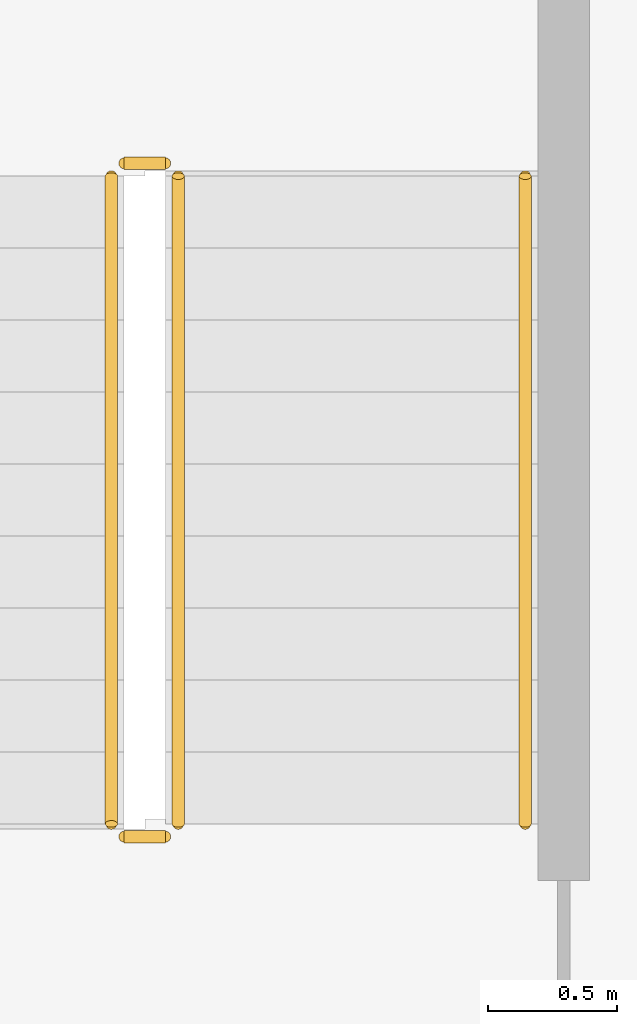
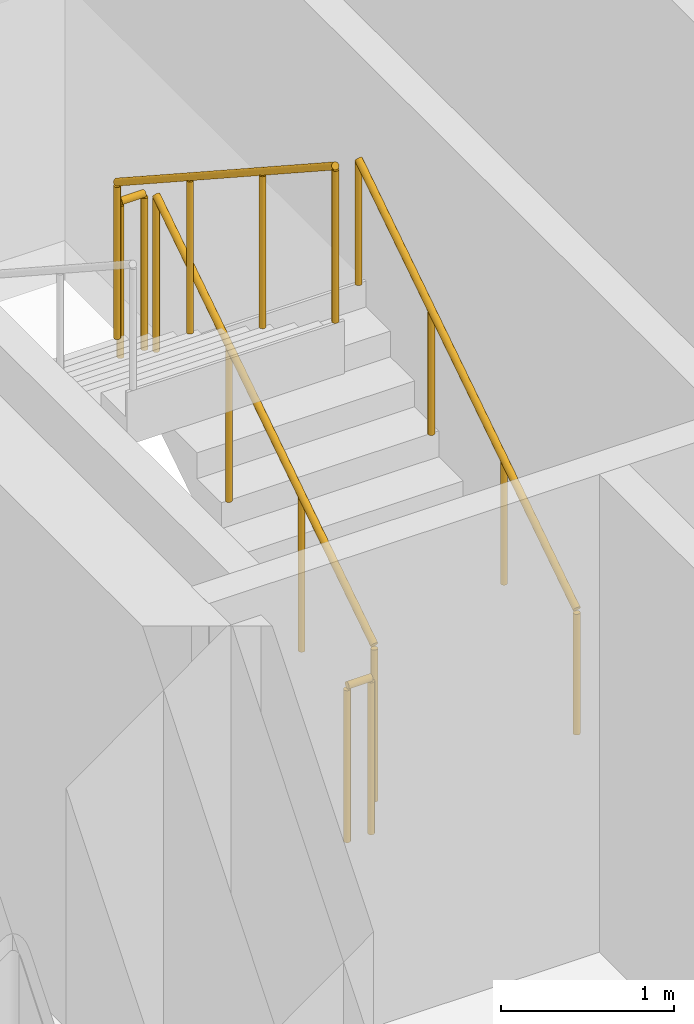
# One storey, part 10 of 12: 5 railings.
"""IFC4 building model written with IfcOpenShell, lengths in metres."""

from ifc_helpers import new_model, si_unit, direction, frame, origin, origin_2d, place, context, subcontext, project, spatial, circle, extrude, material, type_object, element, save


model = new_model("IFC4")

# Units and contexts
model_context = context("Model", 3, precision=1e-05, world=origin(), true_north=direction((0.0, 1.0)))
body_context = subcontext(model_context, "Body", "Model", "MODEL_VIEW")
ifc_project = project(units=[si_unit("LENGTHUNIT", "METRE"), si_unit("AREAUNIT", "SQUARE_METRE"), si_unit("VOLUMEUNIT", "CUBIC_METRE"), si_unit("PLANEANGLEUNIT", "RADIAN"), si_unit("MASSUNIT", "GRAM", prefix="KILO")], contexts=[model_context])

# Site, building, storey
site_placement = place(None, origin())
site = spatial("IfcSite", under=ifc_project, at=site_placement, CompositionType="ELEMENT")
building_placement = place(site_placement, origin())
building = spatial("IfcBuilding", under=site, at=building_placement, Name="Nuvemarco Arch Tower", CompositionType="ELEMENT")
storey_placement = place(building_placement, frame((0.0, 0.0, 45.85009765625)))
storey = spatial("IfcBuildingStorey", under=building, at=storey_placement, Name="L11", CompositionType="ELEMENT", Elevation=45.85009765625)

# Railings
ifc_material_1 = material(Name="Brushed stainless steel handrail", Category="steel")
railing_type_1 = type_object("IfcRailingType", Name="RL-HANDRAIL-900", PredefinedType="HANDRAIL", material=ifc_material_1)
railing_1_placement = place(storey_placement, frame((-13.590087890625, 2.64990234375, 0.182373046875)))
element("IfcRailing", 1, at=railing_1_placement, inside=storey, type_object=railing_type_1, Name="L11 ST-1 stair handrail 1", PredefinedType="HANDRAIL", context=body_context, shape_type="SweptSolid", body=[
    extrude(circle(Radius=0.02392578125, at=origin_2d()), frame((0.0, 0.0, 0.8759765625), z_axis=(0.0, 0.837749427056, 0.546054848405), x_axis=(-1.0, 0.0, 0.0)), (0.0, 0.0, 1.0), 3.008056640625),
    extrude(circle(Radius=0.02099609375, at=origin_2d()), origin(), (0.0, 0.0, 1.0), 0.851806640625),
    extrude(circle(Radius=0.02099609375, at=origin_2d()), frame((0.0, 0.840087890625, 0.547607421875)), (0.0, 0.0, 1.0), 0.851806640625),
    extrude(circle(Radius=0.02099609375, at=origin_2d()), frame((0.0, 1.679931640625, 1.094970703125)), (0.0, 0.0, 1.0), 0.851806640625),
    extrude(circle(Radius=0.02099609375, at=origin_2d()), frame((0.0, 2.52001953125, 1.642578125)), (0.0, 0.0, 1.0), 0.851806640625),
])
ifc_material_2 = material(Name="Painted balustrade steel S355", Category="steel")
railing_type_2 = type_object("IfcRailingType", Name="RL-STAIR-GUARD", PredefinedType="GUARDRAIL", material=ifc_material_2)
railing_2_placement = place(storey_placement, frame((-14.93994140625, 2.64990234375, 0.182373046875)))
element("IfcRailing", 2, at=railing_2_placement, inside=storey, type_object=railing_type_2, Name="L11 ST-1 stair guard 1", PredefinedType="GUARDRAIL", context=body_context, shape_type="SweptSolid", body=[
    extrude(circle(Radius=0.02392578125, at=origin_2d()), frame((0.0, 0.0, 1.09619140625), z_axis=(0.0, 0.837749427056, 0.546054848405), x_axis=(-1.0, 0.0, 0.0)), (0.0, 0.0, 1.0), 3.008056640625),
    extrude(circle(Radius=0.02099609375, at=origin_2d()), origin(), (0.0, 0.0, 1.0), 1.072021484375),
    extrude(circle(Radius=0.02099609375, at=origin_2d()), frame((0.0, 0.840087890625, 0.547607421875)), (0.0, 0.0, 1.0), 1.072021484375),
    extrude(circle(Radius=0.02099609375, at=origin_2d()), frame((0.0, 1.679931640625, 1.094970703125)), (0.0, 0.0, 1.0), 1.072021484375),
    extrude(circle(Radius=0.02099609375, at=origin_2d()), frame((0.0, 2.52001953125, 1.642578125)), (0.0, 0.0, 1.0), 1.072021484375),
])
railing_3_placement = place(storey_placement, frame((-14.989990234375, 5.219970703125, 1.824951171875)))
element("IfcRailing", 3, at=railing_3_placement, inside=storey, type_object=railing_type_2, Name="L11 ST-1 stair guard 2", PredefinedType="GUARDRAIL", context=body_context, shape_type="SweptSolid", body=[
    extrude(circle(Radius=0.02392578125, at=origin_2d()), frame((0.0, 0.0, 1.09619140625), z_axis=(-1.0, 0.0, 0.0), x_axis=(0.0, -1.0, 0.0)), (0.0, 0.0, 1.0), 0.159912109375),
    extrude(circle(Radius=0.02099609375, at=origin_2d()), origin(), (0.0, 0.0, 1.0), 1.072021484375),
    extrude(circle(Radius=0.02099609375, at=origin_2d()), frame((-0.159912109375, 0.0, 0.0)), (0.0, 0.0, 1.0), 1.072021484375),
])
railing_4_placement = place(storey_placement, frame((-15.199951171875, 5.169921875, 2.00732421875)))
element("IfcRailing", 4, at=railing_4_placement, inside=storey, type_object=railing_type_2, Name="L11 ST-1 stair guard 3", PredefinedType="GUARDRAIL", context=body_context, shape_type="SweptSolid", body=[
    extrude(circle(Radius=0.02392578125, at=origin_2d()), frame((0.0, 0.0, 1.09619140625), z_axis=(0.0, -0.837749427056, 0.546054848405), x_axis=(1.0, 0.0, 0.0)), (0.0, 0.0, 1.0), 3.008056640625),
    extrude(circle(Radius=0.02099609375, at=origin_2d()), origin(), (0.0, 0.0, 1.0), 1.072021484375),
    extrude(circle(Radius=0.02099609375, at=origin_2d()), frame((0.0, -0.840087890625, 0.547607421875)), (0.0, 0.0, 1.0), 1.072021484375),
    extrude(circle(Radius=0.02099609375, at=origin_2d()), frame((0.0, -1.679931640625, 1.094970703125)), (0.0, 0.0, 1.0), 1.072021484375),
    extrude(circle(Radius=0.02099609375, at=origin_2d()), frame((0.0, -2.52001953125, 1.642578125)), (0.0, 0.0, 1.0), 1.072021484375),
])
railing_5_placement = place(storey_placement, frame((-14.989990234375, 2.60009765625, 0.0)))
element("IfcRailing", 5, at=railing_5_placement, inside=storey, type_object=railing_type_2, Name="L11 ST-1 stair guard 4", PredefinedType="GUARDRAIL", context=body_context, shape_type="SweptSolid", body=[
    extrude(circle(Radius=0.02392578125, at=origin_2d()), frame((0.0, 0.0, 1.09619140625), z_axis=(-1.0, 0.0, 0.0), x_axis=(0.0, -1.0, 0.0)), (0.0, 0.0, 1.0), 0.159912109375),
    extrude(circle(Radius=0.02099609375, at=origin_2d()), origin(), (0.0, 0.0, 1.0), 1.072021484375),
    extrude(circle(Radius=0.02099609375, at=origin_2d()), frame((-0.159912109375, 0.0, 0.0)), (0.0, 0.0, 1.0), 1.072021484375),
])

save(model, "model.ifc")
